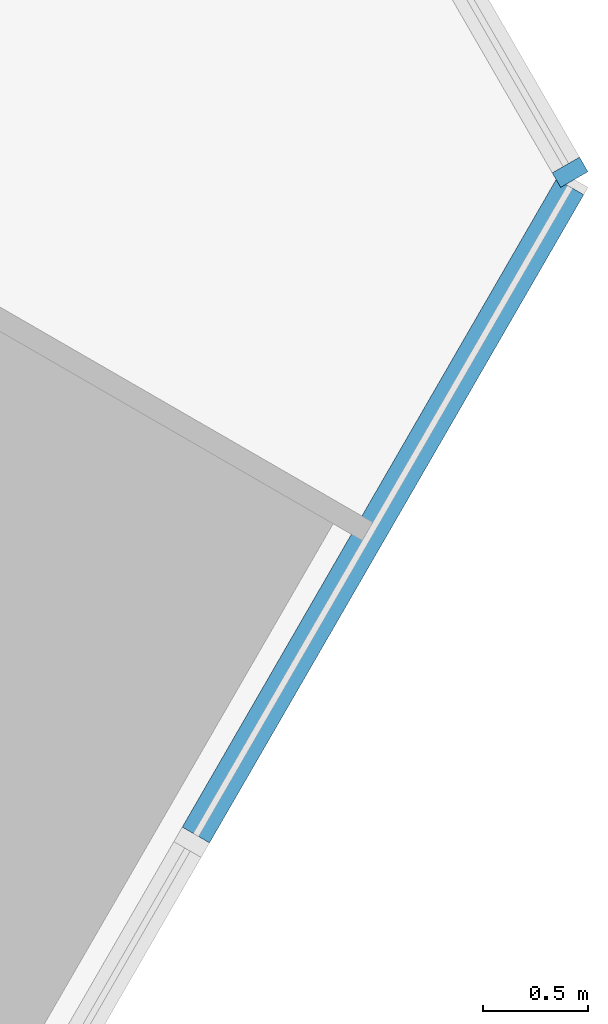
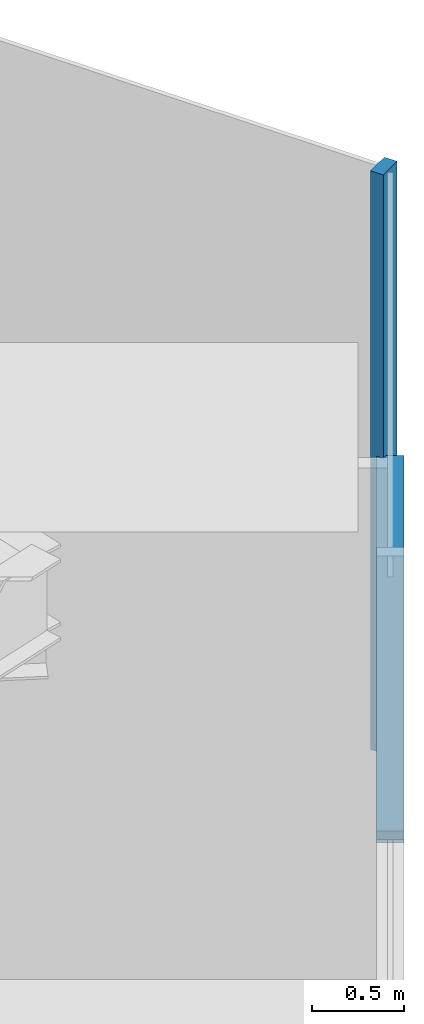
# One storey, part 13 of 25: 2 members, 2 elements without a shape of their own.
"""IFC4 building model written with IfcOpenShell, lengths in metres."""

from ifc_helpers import new_model, si_unit, direction, frame, origin, origin_2d, place, context, subcontext, project, spatial, rectangle, extrude, material, layer, layer_set, material_profile, profile_set, type_object, element, aggregate, save


model = new_model("IFC4")

# Units and contexts
model_context = context("Model", 3, precision=1e-05, world=origin(), true_north=direction((0.0, 1.0)))
body_context = subcontext(model_context, "Body", "Model", "MODEL_VIEW")
ifc_project = project(units=[si_unit("LENGTHUNIT", "METRE"), si_unit("AREAUNIT", "SQUARE_METRE"), si_unit("VOLUMEUNIT", "CUBIC_METRE"), si_unit("PLANEANGLEUNIT", "RADIAN"), si_unit("MASSUNIT", "GRAM", prefix="KILO")], contexts=[model_context])

# Site, building, storey
site_placement = place(None, origin())
site = spatial("IfcSite", under=ifc_project, at=site_placement, CompositionType="ELEMENT")
building_placement = place(site_placement, origin())
building = spatial("IfcBuilding", under=site, at=building_placement, Name="Firuza Gate Tower and Library", CompositionType="ELEMENT")
storey_placement = place(building_placement, frame((0.0, 0.0, 119.800048828125)))
storey = spatial("IfcBuildingStorey", under=building, at=storey_placement, Name="L27", CompositionType="ELEMENT", Elevation=119.800048828125)

# Curtain wall, member
ifc_material_1 = material(Name="Aluminium 6063-T6", Category="aluminium")
ifc_layer_1 = layer(ifc_material_1, 0.14990234375)
ifc_layer_set_1 = layer_set([ifc_layer_1], Name="Unitised curtain wall, offices")
curtain_wall_type_1 = type_object("IfcCurtainWallType", Name="Unitised curtain wall, offices", PredefinedType="NOTDEFINED", material=ifc_layer_set_1)
placement = place(storey_placement, origin())
curtain_wall_1 = element("IfcCurtainWall", 1, at=placement, inside=storey, type_object=curtain_wall_type_1, Name="CW1 L27 E face", PredefinedType="NOTDEFINED")
ifc_material_2 = material(Name="Aluminium 6063-T6", Category="aluminium")
ifc_material_profile_1 = material_profile(ifc_material_2, rectangle(XDim=0.14990234375, YDim=0.080078125, at=origin_2d()))
ifc_profile_set_1 = profile_set([ifc_material_profile_1], Name="Aluminium 6063-T6")
member_type_1 = type_object("IfcMemberType", Name="Curtain wall mullion 80x150", PredefinedType="MULLION", material=ifc_profile_set_1)
member_1_placement = place(storey_placement, frame((106.581787109375, 60.996337890625, 0.14990234375), z_axis=(0.0, 0.0, 1.0), x_axis=(-0.866025403784, -0.5, 0.0)))
member_1 = element("IfcMember", 2, at=member_1_placement, type_object=member_type_1, Name="Mullion", PredefinedType="MULLION", context=body_context, shape_type="SweptSolid", body=[
    extrude(rectangle(XDim=0.14990234375, YDim=0.080078125, at=origin_2d()), origin(), (0.0, 0.0, 1.0), 3.85009765625),
])
aggregate(curtain_wall_1, [member_1])

ifc_material_3 = material(Name="Aluminium 6063-T6", Category="aluminium")
ifc_layer_2 = layer(ifc_material_3, 0.14990234375)
ifc_layer_set_2 = layer_set([ifc_layer_2], Name="Corner curtain wall, chamfers")
curtain_wall_type_2 = type_object("IfcCurtainWallType", Name="Corner curtain wall, chamfers", PredefinedType="NOTDEFINED", material=ifc_layer_set_2)
curtain_wall_2 = element("IfcCurtainWall", 3, at=placement, inside=storey, type_object=curtain_wall_type_2, Name="CW4 L27 SE corner", PredefinedType="NOTDEFINED")
ifc_material_4 = material(Name="Aluminium 6063-T6", Category="aluminium")
ifc_material_profile_2 = material_profile(ifc_material_4, rectangle(XDim=0.14990234375, YDim=0.080078125, at=origin_2d()))
ifc_profile_set_2 = profile_set([ifc_material_profile_2], Name="Aluminium 6063-T6")
member_type_2 = type_object("IfcMemberType", Name="Curtain wall transom 80x150", PredefinedType="USERDEFINED", material=ifc_profile_set_2)
member_2_placement = place(storey_placement, frame((104.800048828125, 57.841064453125, 2.074951171875), z_axis=(0.500015035186, 0.866016723041, 0.0), x_axis=(-0.866016723041, 0.500015035186, 0.0)))
member_2 = element("IfcMember", 4, at=member_2_placement, type_object=member_type_2, Name="Transom", ObjectType="TRANSOM", PredefinedType="USERDEFINED", context=body_context, shape_type="SweptSolid", body=[
    extrude(rectangle(XDim=0.14990234375, YDim=0.080078125, at=origin_2d()), origin(), (0.0, 0.0, 1.0), 3.5634765625),
])
aggregate(curtain_wall_2, [member_2])

save(model, "model.ifc")
